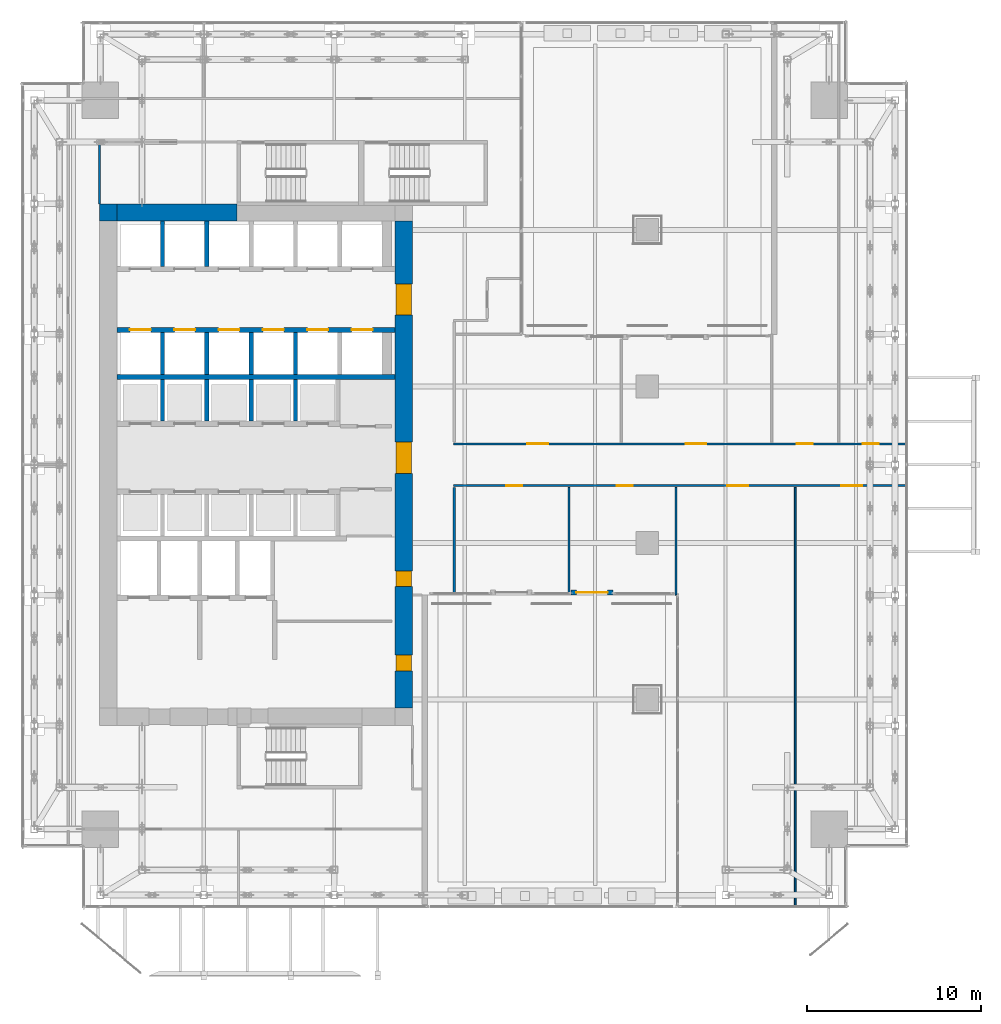
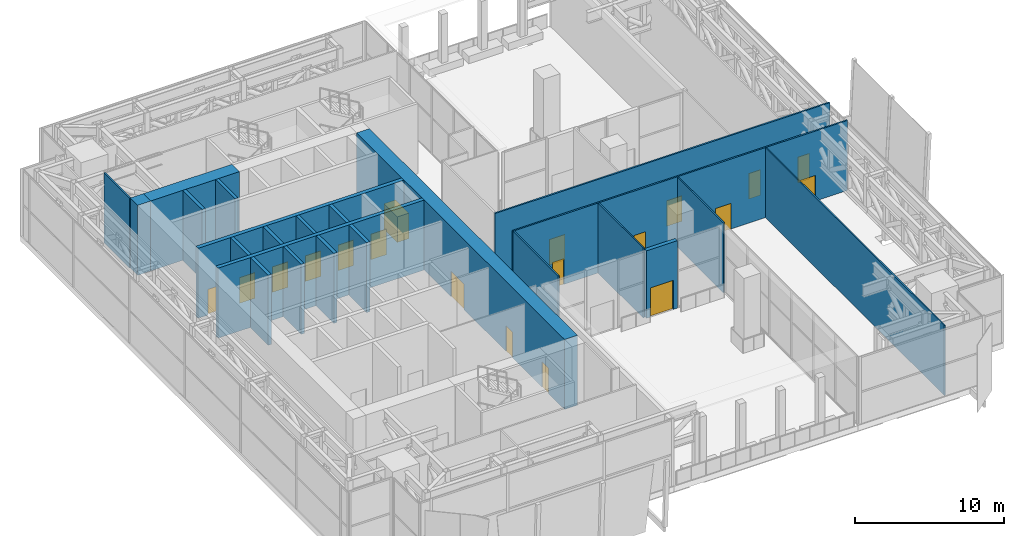
# One storey, part 37 of 47: 23 walls, 19 doors, 19 openings.
"""IFC4 building model written with IfcOpenShell, lengths in metres."""

from ifc_helpers import new_model, si_unit, direction, frame, frame_2d, origin, place, context, subcontext, project, spatial, rectangle, extrude, source, transform, mapped, material, layer, layer_set, type_object, element, fill, save


model = new_model("IFC4")

# Units and contexts
model_context = context("Model", 3, precision=1e-05, world=origin(), true_north=direction((0.0, 1.0)))
body_context = subcontext(model_context, "Body", "Model", "MODEL_VIEW")
ifc_project = project(units=[si_unit("LENGTHUNIT", "METRE"), si_unit("AREAUNIT", "SQUARE_METRE"), si_unit("VOLUMEUNIT", "CUBIC_METRE"), si_unit("PLANEANGLEUNIT", "RADIAN"), si_unit("MASSUNIT", "GRAM", prefix="KILO")], contexts=[model_context])

# Site, building, storey
site_placement = place(None, origin())
site = spatial("IfcSite", under=ifc_project, at=site_placement, CompositionType="ELEMENT")
building_placement = place(site_placement, origin())
building = spatial("IfcBuilding", under=site, at=building_placement, Name="Khomas Fold Tower", CompositionType="ELEMENT")
storey_placement = place(building_placement, frame((0.0, 0.0, 158.699951171875)))
storey = spatial("IfcBuildingStorey", under=building, at=storey_placement, Name="L34", CompositionType="ELEMENT", Elevation=158.699951171875)

# Walls
ifc_material_1 = material(Name="Concrete C70/85", Category="concrete")
ifc_layer_1 = layer(ifc_material_1, 1.0)
ifc_layer_set_1 = layer_set([ifc_layer_1], Name="Concrete C70/85")
wall_type_1 = type_object("IfcWallType", Name="Core wall 1000", PredefinedType="SHEAR", material=ifc_layer_set_1)
shared_shape_1 = source(origin(), body_context, "Body", "SweptSolid", [
    extrude(rectangle(XDim=6.89990234375, YDim=1.0, at=frame_2d((3.449951171875, 0.0))), origin(), (0.0, 0.0, 1.0), 5.75),
])
wall_1_placement = place(storey_placement, frame((7.0, 41.5, 0.0), z_axis=(0.0, 0.0, 1.0), x_axis=(1.0, 0.0, 0.0)))
element("IfcWall", 1, at=wall_1_placement, inside=storey, type_object=wall_type_1, Name="Core wall CW-L-N-L21", PredefinedType="SHEAR", context=body_context, shape_type="MappedRepresentation", body=[
    mapped(shared_shape_1, transform((0.0, 0.0, 0.0))),
])
ifc_material_2 = material(Name="Concrete C70/85", Category="concrete")
ifc_layer_2 = layer(ifc_material_2, 1.0)
ifc_layer_set_2 = layer_set([ifc_layer_2], Name="Concrete C70/85")
wall_type_2 = type_object("IfcWallType", Name="Core corner wall 1000", PredefinedType="SHEAR", material=ifc_layer_set_2)
shared_shape_2 = source(origin(), body_context, "Body", "SweptSolid", [
    extrude(rectangle(XDim=1.0, YDim=1.0, at=frame_2d((0.5, 0.0))), origin(), (0.0, 0.0, 1.0), 5.75),
])
wall_2_placement = place(storey_placement, frame((6.0, 41.5, 0.0), z_axis=(0.0, 0.0, 1.0), x_axis=(1.0, 0.0, 0.0)))
element("IfcWall", 2, at=wall_2_placement, inside=storey, type_object=wall_type_2, Name="Core wall CW-L-NW-L21", PredefinedType="SHEAR", context=body_context, shape_type="MappedRepresentation", body=[
    mapped(shared_shape_2, transform((0.0, 0.0, 0.0))),
])

# Wall, openings, doors
shared_shape_3 = source(origin(), body_context, "Body", "SweptSolid", [
    extrude(rectangle(XDim=28.0, YDim=1.0, at=frame_2d((14.0, 0.0))), origin(), (0.0, 0.0, 1.0), 5.75),
])
wall_3_placement = place(storey_placement, frame((23.5, 13.0, 0.0), z_axis=(0.0, 0.0, 1.0), x_axis=(0.0, 1.0, 0.0)))
wall_3 = element("IfcWall", 3, at=wall_3_placement, inside=storey, type_object=wall_type_1, Name="Core wall CW-L-E-L21", PredefinedType="SHEAR", context=body_context, shape_type="MappedRepresentation", body=[
    mapped(shared_shape_3, transform((0.0, 0.0, 0.0))),
])
shared_shape_4 = source(origin(), body_context, "Body", "SweptSolid", [
    extrude(rectangle(XDim=1.800048828125, YDim=2.10009765625, at=frame_2d((0.89990234375, 1.050048828125))), frame((0.0, 0.510009765625, 0.0), z_axis=(0.0, -1.0, 0.0), x_axis=(1.0, 0.0, 0.0)), (0.0, 0.0, 1.0), 1.02001953125),
])
opening_1_placement = place(wall_3_placement, frame((13.5, 0.0, 0.0)))
opening_1 = element("IfcOpeningElement", 4, at=opening_1_placement, cuts=wall_3, Name="Opening 0015", PredefinedType="OPENING", context=body_context, shape_type="MappedRepresentation", body=[
    mapped(shared_shape_4, transform((0.0, 0.0, 0.0))),
])
opening_2_placement = place(wall_3_placement, frame((22.60009765625, 0.0, 0.0)))
opening_2 = element("IfcOpeningElement", 5, at=opening_2_placement, cuts=wall_3, Name="Opening 0015", PredefinedType="OPENING", context=body_context, shape_type="MappedRepresentation", body=[
    mapped(shared_shape_4, transform((0.0, 0.0, 0.0))),
])
shared_shape_5 = source(origin(), body_context, "Body", "SweptSolid", [
    extrude(rectangle(XDim=0.89990234375, YDim=2.10009765625, at=frame_2d((0.449951171875, 1.050048828125))), frame((0.0, 0.510009765625, 0.0), z_axis=(0.0, -1.0, 0.0), x_axis=(1.0, 0.0, 0.0)), (0.0, 0.0, 1.0), 1.02001953125),
])
opening_3_placement = place(wall_3_placement, frame((2.14990234375, 0.0, 0.0)))
opening_3 = element("IfcOpeningElement", 6, at=opening_3_placement, cuts=wall_3, Name="Opening 0008", PredefinedType="OPENING", context=body_context, shape_type="MappedRepresentation", body=[
    mapped(shared_shape_5, transform((0.0, 0.0, 0.0))),
])
opening_4_placement = place(wall_3_placement, frame((7.0, 0.0, 0.0)))
opening_4 = element("IfcOpeningElement", 7, at=opening_4_placement, cuts=wall_3, Name="Opening 0008", PredefinedType="OPENING", context=body_context, shape_type="MappedRepresentation", body=[
    mapped(shared_shape_5, transform((0.0, 0.0, 0.0))),
])
ifc_material_3 = material(Name="Steel door leaf", Category="steel")
door_type_1 = type_object("IfcDoorType", Name="Lobby door 1800x2100", OperationType="DOUBLE_DOOR_SINGLE_SWING", PredefinedType="DOOR", material=ifc_material_3)
shared_shape_6 = source(origin(), body_context, "Body", "SweptSolid", [
    extrude(rectangle(XDim=1.800048828125, YDim=2.10009765625, at=frame_2d((0.89990234375, 1.050048828125))), frame((0.0, 0.449951171875, 0.0), z_axis=(0.0, -1.0, 0.0), x_axis=(1.0, 0.0, 0.0)), (0.0, 0.0, 1.0), 0.89990234375),
])
door_1_placement = place(opening_1_placement, origin())
door_1 = element("IfcDoor", 8, at=door_1_placement, inside=storey, type_object=door_type_1, Name="Lobby door", OperationType="DOUBLE_DOOR_SINGLE_SWING", OverallHeight=2.10009765625, OverallWidth=1.800048828125, PredefinedType="DOOR", context=body_context, shape_type="MappedRepresentation", body=[
    mapped(shared_shape_6, transform((0.0, 0.0, 0.0))),
])
fill(opening_1, door_1)
door_2_placement = place(opening_2_placement, origin())
door_2 = element("IfcDoor", 9, at=door_2_placement, inside=storey, type_object=door_type_1, Name="Lobby door", OperationType="DOUBLE_DOOR_SINGLE_SWING", OverallHeight=2.10009765625, OverallWidth=1.800048828125, PredefinedType="DOOR", context=body_context, shape_type="MappedRepresentation", body=[
    mapped(shared_shape_6, transform((0.0, 0.0, 0.0))),
])
fill(opening_2, door_2)
ifc_material_4 = material(Name="Timber door leaf", Category="wood")
door_type_2 = type_object("IfcDoorType", Name="Door 900x2100 right-hand", OperationType="SINGLE_SWING_RIGHT", PredefinedType="DOOR", material=ifc_material_4)
shared_shape_7 = source(origin(), body_context, "Body", "SweptSolid", [
    extrude(rectangle(XDim=0.89990234375, YDim=2.10009765625, at=frame_2d((0.449951171875, 1.050048828125))), frame((0.0, 0.449951171875, 0.0), z_axis=(0.0, -1.0, 0.0), x_axis=(1.0, 0.0, 0.0)), (0.0, 0.0, 1.0), 0.89990234375),
])
door_3_placement = place(opening_3_placement, origin())
door_3 = element("IfcDoor", 10, at=door_3_placement, inside=storey, type_object=door_type_2, Name="Door", OperationType="SINGLE_SWING_RIGHT", OverallHeight=2.10009765625, OverallWidth=0.89990234375, PredefinedType="DOOR", context=body_context, shape_type="MappedRepresentation", body=[
    mapped(shared_shape_7, transform((0.0, 0.0, 0.0))),
])
fill(opening_3, door_3)
door_4_placement = place(opening_4_placement, origin())
door_4 = element("IfcDoor", 11, at=door_4_placement, inside=storey, type_object=door_type_2, Name="Door", OperationType="SINGLE_SWING_RIGHT", OverallHeight=2.10009765625, OverallWidth=0.89990234375, PredefinedType="DOOR", context=body_context, shape_type="MappedRepresentation", body=[
    mapped(shared_shape_7, transform((0.0, 0.0, 0.0))),
])
fill(opening_4, door_4)

# Wall
ifc_material_5 = material(Name="Concrete C50/60", Category="concrete")
ifc_layer_3 = layer(ifc_material_5, 0.300048828125)
ifc_layer_set_3 = layer_set([ifc_layer_3], Name="Concrete C50/60")
wall_type_3 = type_object("IfcWallType", Name="Shaft wall 300", PredefinedType="STANDARD", material=ifc_layer_set_3)
shared_shape_8 = source(origin(), body_context, "Body", "SweptSolid", [
    extrude(rectangle(XDim=16.0, YDim=0.300048828125, at=frame_2d((8.0, 0.0))), origin(), (0.0, 0.0, 1.0), 5.75),
])
wall_4_placement = place(storey_placement, frame((7.0, 32.050048828125, 0.0), z_axis=(0.0, 0.0, 1.0), x_axis=(1.0, 0.0, 0.0)))
element("IfcWall", 12, at=wall_4_placement, inside=storey, type_object=wall_type_3, Name="Core wall SW-HRN-B", PredefinedType="STANDARD", context=body_context, shape_type="MappedRepresentation", body=[
    mapped(shared_shape_8, transform((0.0, 0.0, 0.0))),
])

# Wall, openings, doors
wall_5_placement = place(storey_placement, frame((7.0, 34.75, 0.0), z_axis=(0.0, 0.0, 1.0), x_axis=(1.0, 0.0, 0.0)))
wall_5 = element("IfcWall", 13, at=wall_5_placement, inside=storey, type_object=wall_type_3, Name="Core wall SW-LRS-F", PredefinedType="STANDARD", context=body_context, shape_type="MappedRepresentation", body=[
    mapped(shared_shape_8, transform((0.0, 0.0, 0.0))),
])
shared_shape_9 = source(origin(), body_context, "Body", "SweptSolid", [
    extrude(rectangle(XDim=1.199951171875, YDim=2.10009765625, at=frame_2d((0.60009765625, 1.050048828125))), frame((0.0, 0.159912109375, 0.0), z_axis=(0.0, -1.0, 0.0), x_axis=(1.0, 0.0, 0.0)), (0.0, 0.0, 1.0), 0.320068359375),
])
opening_5_placement = place(wall_5_placement, frame((0.75, 0.0, 0.0)))
opening_5 = element("IfcOpeningElement", 14, at=opening_5_placement, cuts=wall_5, Name="Opening LD-LR1", PredefinedType="OPENING", context=body_context, shape_type="MappedRepresentation", body=[
    mapped(shared_shape_9, transform((0.0, 0.0, 0.0))),
])
opening_6_placement = place(wall_5_placement, frame((3.300048828125, 0.0, 0.0)))
opening_6 = element("IfcOpeningElement", 15, at=opening_6_placement, cuts=wall_5, Name="Opening LD-LR2", PredefinedType="OPENING", context=body_context, shape_type="MappedRepresentation", body=[
    mapped(shared_shape_9, transform((0.0, 0.0, 0.0))),
])
opening_7_placement = place(wall_5_placement, frame((5.85009765625, 0.0, 0.0)))
opening_7 = element("IfcOpeningElement", 16, at=opening_7_placement, cuts=wall_5, Name="Opening LD-LR3", PredefinedType="OPENING", context=body_context, shape_type="MappedRepresentation", body=[
    mapped(shared_shape_9, transform((0.0, 0.0, 0.0))),
])
opening_8_placement = place(wall_5_placement, frame((8.39990234375, 0.0, 0.0)))
opening_8 = element("IfcOpeningElement", 17, at=opening_8_placement, cuts=wall_5, Name="Opening LD-LR4", PredefinedType="OPENING", context=body_context, shape_type="MappedRepresentation", body=[
    mapped(shared_shape_9, transform((0.0, 0.0, 0.0))),
])
opening_9_placement = place(wall_5_placement, frame((10.949951171875, 0.0, 0.0)))
opening_9 = element("IfcOpeningElement", 18, at=opening_9_placement, cuts=wall_5, Name="Opening LD-S1", PredefinedType="OPENING", context=body_context, shape_type="MappedRepresentation", body=[
    mapped(shared_shape_9, transform((0.0, 0.0, 0.0))),
])
opening_10_placement = place(wall_5_placement, frame((13.5, 0.0, 0.0)))
opening_10 = element("IfcOpeningElement", 19, at=opening_10_placement, cuts=wall_5, Name="Opening LD-S2", PredefinedType="OPENING", context=body_context, shape_type="MappedRepresentation", body=[
    mapped(shared_shape_9, transform((0.0, 0.0, 0.0))),
])
ifc_material_6 = material(Name="Steel door leaf", Category="steel")
door_type_3 = type_object("IfcDoorType", Name="Landing door 1200x2100", OperationType="DOUBLE_DOOR_SLIDING", PredefinedType="DOOR", material=ifc_material_6)
shared_shape_10 = source(origin(), body_context, "Body", "SweptSolid", [
    extrude(rectangle(XDim=1.199951171875, YDim=2.10009765625, at=frame_2d((0.60009765625, 1.050048828125))), frame((0.0, 0.02490234375, 0.0), z_axis=(0.0, -1.0, 0.0), x_axis=(1.0, 0.0, 0.0)), (0.0, 0.0, 1.0), 0.050048828125),
])
door_5_placement = place(opening_5_placement, origin())
door_5 = element("IfcDoor", 20, at=door_5_placement, inside=storey, type_object=door_type_3, Name="Lift landing door", OperationType="DOUBLE_DOOR_SLIDING", OverallHeight=2.10009765625, OverallWidth=1.199951171875, PredefinedType="DOOR", context=body_context, shape_type="MappedRepresentation", body=[
    mapped(shared_shape_10, transform((0.0, 0.0, 0.0))),
])
fill(opening_5, door_5)
door_6_placement = place(opening_6_placement, origin())
door_6 = element("IfcDoor", 21, at=door_6_placement, inside=storey, type_object=door_type_3, Name="Lift landing door", OperationType="DOUBLE_DOOR_SLIDING", OverallHeight=2.10009765625, OverallWidth=1.199951171875, PredefinedType="DOOR", context=body_context, shape_type="MappedRepresentation", body=[
    mapped(shared_shape_10, transform((0.0, 0.0, 0.0))),
])
fill(opening_6, door_6)
door_7_placement = place(opening_7_placement, origin())
door_7 = element("IfcDoor", 22, at=door_7_placement, inside=storey, type_object=door_type_3, Name="Lift landing door", OperationType="DOUBLE_DOOR_SLIDING", OverallHeight=2.10009765625, OverallWidth=1.199951171875, PredefinedType="DOOR", context=body_context, shape_type="MappedRepresentation", body=[
    mapped(shared_shape_10, transform((0.0, 0.0, 0.0))),
])
fill(opening_7, door_7)
door_8_placement = place(opening_8_placement, origin())
door_8 = element("IfcDoor", 23, at=door_8_placement, inside=storey, type_object=door_type_3, Name="Lift landing door", OperationType="DOUBLE_DOOR_SLIDING", OverallHeight=2.10009765625, OverallWidth=1.199951171875, PredefinedType="DOOR", context=body_context, shape_type="MappedRepresentation", body=[
    mapped(shared_shape_10, transform((0.0, 0.0, 0.0))),
])
fill(opening_8, door_8)
door_9_placement = place(opening_9_placement, origin())
door_9 = element("IfcDoor", 24, at=door_9_placement, inside=storey, type_object=door_type_3, Name="Lift landing door", OperationType="DOUBLE_DOOR_SLIDING", OverallHeight=2.10009765625, OverallWidth=1.199951171875, PredefinedType="DOOR", context=body_context, shape_type="MappedRepresentation", body=[
    mapped(shared_shape_10, transform((0.0, 0.0, 0.0))),
])
fill(opening_9, door_9)
door_10_placement = place(opening_10_placement, origin())
door_10 = element("IfcDoor", 25, at=door_10_placement, inside=storey, type_object=door_type_3, Name="Lift landing door", OperationType="DOUBLE_DOOR_SLIDING", OverallHeight=2.10009765625, OverallWidth=1.199951171875, PredefinedType="DOOR", context=body_context, shape_type="MappedRepresentation", body=[
    mapped(shared_shape_10, transform((0.0, 0.0, 0.0))),
])
fill(opening_10, door_10)

# Walls
ifc_material_7 = material(Name="Concrete C50/60", Category="concrete")
ifc_layer_4 = layer(ifc_material_7, 0.25)
ifc_layer_set_4 = layer_set([ifc_layer_4], Name="Concrete C50/60")
wall_type_4 = type_object("IfcWallType", Name="Shaft wall 250", PredefinedType="STANDARD", material=ifc_layer_set_4)
shared_shape_11 = source(origin(), body_context, "Body", "SweptSolid", [
    extrude(rectangle(XDim=2.39990234375, YDim=0.25, at=frame_2d((1.199951171875, 0.0))), origin(), (0.0, 0.0, 1.0), 5.75),
])
for number, where, z_axis, x_axis, name in (
    (26, (17.27490234375, 29.5, 0.0), (0.0, 0.0, 1.0), (0.0, 1.0, 0.0), "Core wall SW-HRN-MR-P1"),
    (27, (9.625, 29.5, 0.0), (0.0, 0.0, 1.0), (0.0, 1.0, 0.0), "Core wall SW-HRN-P1"),
    (28, (12.175048828125, 29.5, 0.0), (0.0, 0.0, 1.0), (0.0, 1.0, 0.0), "Core wall SW-HRN-P2"),
    (29, (14.72509765625, 29.5, 0.0), (0.0, 0.0, 1.0), (0.0, 1.0, 0.0), "Core wall SW-HRN-PE"),
):
    element("IfcWall", number, at=place(storey_placement, frame(where, z_axis=z_axis, x_axis=x_axis)), inside=storey, type_object=wall_type_4, Name=name, PredefinedType="STANDARD", context=body_context, shape_type="MappedRepresentation", body=[
        mapped(shared_shape_11, transform((0.0, 0.0, 0.0))),
    ])
shared_shape_12 = source(origin(), body_context, "Body", "SweptSolid", [
    extrude(rectangle(XDim=2.400146484375, YDim=0.25, at=frame_2d((1.2001953125, 0.0))), origin(), (0.0, 0.0, 1.0), 5.75),
])
for number, where, z_axis, x_axis, name in (
    (30, (9.625, 32.199951171875, 0.0), (0.0, 0.0, 1.0), (0.0, 1.0, 0.0), "Core wall SW-LRS-P1"),
    (31, (12.175048828125, 32.199951171875, 0.0), (0.0, 0.0, 1.0), (0.0, 1.0, 0.0), "Core wall SW-LRS-P2"),
    (32, (14.72509765625, 32.199951171875, 0.0), (0.0, 0.0, 1.0), (0.0, 1.0, 0.0), "Core wall SW-LRS-P3"),
    (33, (17.27490234375, 32.199951171875, 0.0), (0.0, 0.0, 1.0), (0.0, 1.0, 0.0), "Core wall SW-LRS-P4"),
):
    element("IfcWall", number, at=place(storey_placement, frame(where, z_axis=z_axis, x_axis=x_axis)), inside=storey, type_object=wall_type_4, Name=name, PredefinedType="STANDARD", context=body_context, shape_type="MappedRepresentation", body=[
        mapped(shared_shape_12, transform((0.0, 0.0, 0.0))),
    ])
shared_shape_13 = source(origin(), body_context, "Body", "SweptSolid", [
    extrude(rectangle(XDim=2.60009765625, YDim=0.25, at=frame_2d((1.300048828125, 0.0))), origin(), (0.0, 0.0, 1.0), 5.75),
])
for number, where, z_axis, x_axis, name in (
    (34, (9.625, 38.39990234375, 0.0), (0.0, 0.0, 1.0), (0.0, 1.0, 0.0), "Core wall SW-LRN-P1"),
    (35, (12.175048828125, 38.39990234375, 0.0), (0.0, 0.0, 1.0), (0.0, 1.0, 0.0), "Core wall SW-LRN-P2"),
):
    element("IfcWall", number, at=place(storey_placement, frame(where, z_axis=z_axis, x_axis=x_axis)), inside=storey, type_object=wall_type_4, Name=name, PredefinedType="STANDARD", context=body_context, shape_type="MappedRepresentation", body=[
        mapped(shared_shape_13, transform((0.0, 0.0, 0.0))),
    ])

# Wall, opening, door
ifc_material_8 = material(Name="Concrete C40/50", Category="concrete")
ifc_layer_5 = layer(ifc_material_8, 0.300048828125)
ifc_layer_set_5 = layer_set([ifc_layer_5], Name="Concrete C40/50")
wall_type_5 = type_object("IfcWallType", Name="Garden door wall 300", PredefinedType="SOLIDWALL", material=ifc_layer_set_5)
shared_shape_14 = source(origin(), body_context, "Body", "SweptSolid", [
    extrude(rectangle(XDim=2.39990234375, YDim=0.300048828125, at=frame_2d((1.199951171875, 0.0))), origin(), (0.0, 0.0, 1.0), 5.550048828125),
])
wall_6_placement = place(storey_placement, frame((33.11669921875, 19.64990234375, 0.0), z_axis=(0.0, 0.0, 1.0), x_axis=(1.0, 0.0, 0.0)))
wall_6 = element("IfcWall", 36, at=wall_6_placement, inside=storey, type_object=wall_type_5, Name="Garden door wall", PredefinedType="SOLIDWALL", context=body_context, shape_type="MappedRepresentation", body=[
    mapped(shared_shape_14, transform((0.0, 0.0, 0.0))),
])
shared_shape_15 = source(origin(), body_context, "Body", "SweptSolid", [
    extrude(rectangle(XDim=1.800048828125, YDim=2.39990234375, at=frame_2d((0.89990234375, 1.199951171875))), frame((0.0, 0.159912109375, 0.0), z_axis=(0.0, -1.0, 0.0), x_axis=(1.0, 0.0, 0.0)), (0.0, 0.0, 1.0), 0.320068359375),
])
opening_11_placement = place(wall_6_placement, frame((2.10009765625, 0.0, 0.0), z_axis=(0.0, 0.0, 1.0), x_axis=(-1.0, 0.0, 0.0)))
opening_11 = element("IfcOpeningElement", 37, at=opening_11_placement, cuts=wall_6, Name="Opening GNS02", PredefinedType="OPENING", context=body_context, shape_type="MappedRepresentation", body=[
    mapped(shared_shape_15, transform((0.0, 0.0, 0.0))),
])
ifc_material_9 = material(Name="Aluminium framed glazing", Category="aluminium")
door_type_4 = type_object("IfcDoorType", Name="Garden door 1800 x 2400", OperationType="DOUBLE_DOOR_DOUBLE_SWING", PredefinedType="DOOR", material=ifc_material_9)
shared_shape_16 = source(origin(), body_context, "Body", "SweptSolid", [
    extrude(rectangle(XDim=1.800048828125, YDim=2.39990234375, at=frame_2d((0.89990234375, 1.199951171875))), frame((0.0, 0.02490234375, 0.0), z_axis=(0.0, -1.0, 0.0), x_axis=(1.0, 0.0, 0.0)), (0.0, 0.0, 1.0), 0.050048828125),
])
door_11_placement = place(opening_11_placement, origin())
door_11 = element("IfcDoor", 38, at=door_11_placement, inside=storey, type_object=door_type_4, Name="Garden door", OperationType="DOUBLE_DOOR_DOUBLE_SWING", OverallHeight=2.39990234375, OverallWidth=1.800048828125, PredefinedType="DOOR", context=body_context, shape_type="MappedRepresentation", body=[
    mapped(shared_shape_16, transform((0.0, 0.0, 0.0))),
])
fill(opening_11, door_11)

# Walls
ifc_material_10 = material(Name="Plasterboard partition")
ifc_layer_6 = layer(ifc_material_10, 0.10009765625)
ifc_layer_set_6 = layer_set([ifc_layer_6], Name="Plasterboard partition")
wall_type_6 = type_object("IfcWallType", Name="Partition PW1 100", PredefinedType="PARTITIONING", material=ifc_layer_set_6)
shared_shape_17 = source(origin(), body_context, "Body", "SweptSolid", [
    extrude(rectangle(XDim=24.050048828125, YDim=0.10009765625, at=frame_2d((12.02490234375, 0.0))), origin(), (0.0, 0.0, 1.0), 5.75),
])
wall_7_placement = place(storey_placement, frame((46.0, 1.64990234375, 0.0), z_axis=(0.0, 0.0, 1.0), x_axis=(0.0, 1.0, 0.0)))
element("IfcWall", 39, at=wall_7_placement, inside=storey, type_object=wall_type_6, Name="Partition", PredefinedType="PARTITIONING", context=body_context, shape_type="MappedRepresentation", body=[
    mapped(shared_shape_17, transform((0.0, 0.0, 0.0))),
])
ifc_material_11 = material(Name="Plasterboard partition")
ifc_layer_7 = layer(ifc_material_11, 0.125)
ifc_layer_set_7 = layer_set([ifc_layer_7], Name="Plasterboard partition")
wall_type_7 = type_object("IfcWallType", Name="Partition PW2 125", PredefinedType="PARTITIONING", material=ifc_layer_set_7)
shared_shape_18 = source(origin(), body_context, "Body", "SweptSolid", [
    extrude(rectangle(XDim=6.050048828125, YDim=0.125, at=frame_2d((3.02490234375, 0.0))), origin(), (0.0, 0.0, 1.0), 5.75),
])
wall_8_placement = place(storey_placement, frame((26.39990234375, 19.64990234375, 0.0), z_axis=(0.0, 0.0, 1.0), x_axis=(0.0, 1.0, 0.0)))
element("IfcWall", 40, at=wall_8_placement, inside=storey, type_object=wall_type_7, Name="Partition", PredefinedType="PARTITIONING", context=body_context, shape_type="MappedRepresentation", body=[
    mapped(shared_shape_18, transform((0.0, 0.0, 0.0))),
])
shared_shape_19 = source(origin(), body_context, "Body", "SweptSolid", [
    extrude(rectangle(XDim=6.050048828125, YDim=0.10009765625, at=frame_2d((3.02490234375, 0.0))), origin(), (0.0, 0.0, 1.0), 5.75),
])
wall_9_placement = place(storey_placement, frame((33.0, 19.64990234375, 0.0), z_axis=(0.0, 0.0, 1.0), x_axis=(0.0, 1.0, 0.0)))
element("IfcWall", 41, at=wall_9_placement, inside=storey, type_object=wall_type_6, Name="Partition", PredefinedType="PARTITIONING", context=body_context, shape_type="MappedRepresentation", body=[
    mapped(shared_shape_19, transform((0.0, 0.0, 0.0))),
])
shared_shape_20 = source(origin(), body_context, "Body", "SweptSolid", [
    extrude(rectangle(XDim=6.199951171875, YDim=0.10009765625, at=frame_2d((3.10009765625, 0.0))), origin(), (0.0, 0.0, 1.0), 5.75),
])
wall_10_placement = place(storey_placement, frame((39.14990234375, 19.5, 0.0), z_axis=(0.0, 0.0, 1.0), x_axis=(0.0, 1.0, 0.0)))
element("IfcWall", 42, at=wall_10_placement, inside=storey, type_object=wall_type_6, Name="Partition", PredefinedType="PARTITIONING", context=body_context, shape_type="MappedRepresentation", body=[
    mapped(shared_shape_20, transform((0.0, 0.0, 0.0))),
])

# Wall, openings, doors
shared_shape_21 = source(origin(), body_context, "Body", "SweptSolid", [
    extrude(rectangle(XDim=26.0, YDim=0.125, at=frame_2d((13.0, 0.0))), origin(), (0.0, 0.0, 1.0), 5.75),
])
wall_11_placement = place(storey_placement, frame((26.35009765625, 25.800048828125, 0.0), z_axis=(0.0, 0.0, 1.0), x_axis=(1.0, 0.0, 0.0)))
wall_11 = element("IfcWall", 43, at=wall_11_placement, inside=storey, type_object=wall_type_7, Name="Partition", PredefinedType="PARTITIONING", context=body_context, shape_type="MappedRepresentation", body=[
    mapped(shared_shape_21, transform((0.0, 0.0, 0.0))),
])
shared_shape_22 = source(origin(), body_context, "Body", "SweptSolid", [
    extrude(rectangle(XDim=1.199951171875, YDim=2.10009765625, at=frame_2d((0.60009765625, 1.050048828125))), frame((0.0, 0.072509765625, 0.0), z_axis=(0.0, -1.0, 0.0), x_axis=(1.0, 0.0, 0.0)), (0.0, 0.0, 1.0), 0.14501953125),
])
opening_12_placement = place(wall_11_placement, frame((15.75, 0.0, 0.0)))
opening_12 = element("IfcOpeningElement", 44, at=opening_12_placement, cuts=wall_11, Name="Opening 0001", PredefinedType="OPENING", context=body_context, shape_type="MappedRepresentation", body=[
    mapped(shared_shape_22, transform((0.0, 0.0, 0.0))),
])
opening_13_placement = place(wall_11_placement, frame((22.300048828125, 0.0, 0.0)))
opening_13 = element("IfcOpeningElement", 45, at=opening_13_placement, cuts=wall_11, Name="Opening 0013", PredefinedType="OPENING", context=body_context, shape_type="MappedRepresentation", body=[
    mapped(shared_shape_22, transform((0.0, 0.0, 0.0))),
])
shared_shape_23 = source(origin(), body_context, "Body", "SweptSolid", [
    extrude(rectangle(XDim=0.89990234375, YDim=2.10009765625, at=frame_2d((0.449951171875, 1.050048828125))), frame((0.0, 0.072509765625, 0.0), z_axis=(0.0, -1.0, 0.0), x_axis=(1.0, 0.0, 0.0)), (0.0, 0.0, 1.0), 0.14501953125),
])
opening_14_placement = place(wall_11_placement, frame((3.050048828125, 0.0, 0.0)))
opening_14 = element("IfcOpeningElement", 46, at=opening_14_placement, cuts=wall_11, Name="Opening 0008", PredefinedType="OPENING", context=body_context, shape_type="MappedRepresentation", body=[
    mapped(shared_shape_23, transform((0.0, 0.0, 0.0))),
])
opening_15_placement = place(wall_11_placement, frame((9.39990234375, 0.0, 0.0)))
opening_15 = element("IfcOpeningElement", 47, at=opening_15_placement, cuts=wall_11, Name="Opening 0008", PredefinedType="OPENING", context=body_context, shape_type="MappedRepresentation", body=[
    mapped(shared_shape_23, transform((0.0, 0.0, 0.0))),
])
shared_shape_24 = source(origin(), body_context, "Body", "SweptSolid", [
    extrude(rectangle(XDim=0.89990234375, YDim=2.10009765625, at=frame_2d((0.449951171875, 1.050048828125))), frame((0.0, 0.02490234375, 0.0), z_axis=(0.0, -1.0, 0.0), x_axis=(1.0, 0.0, 0.0)), (0.0, 0.0, 1.0), 0.050048828125),
])
door_12_placement = place(opening_14_placement, origin())
door_12 = element("IfcDoor", 48, at=door_12_placement, inside=storey, type_object=door_type_2, Name="Door", OperationType="SINGLE_SWING_RIGHT", OverallHeight=2.10009765625, OverallWidth=0.89990234375, PredefinedType="DOOR", context=body_context, shape_type="MappedRepresentation", body=[
    mapped(shared_shape_24, transform((0.0, 0.0, 0.0))),
])
fill(opening_14, door_12)
door_13_placement = place(opening_15_placement, origin())
door_13 = element("IfcDoor", 49, at=door_13_placement, inside=storey, type_object=door_type_2, Name="Door", OperationType="SINGLE_SWING_RIGHT", OverallHeight=2.10009765625, OverallWidth=0.89990234375, PredefinedType="DOOR", context=body_context, shape_type="MappedRepresentation", body=[
    mapped(shared_shape_24, transform((0.0, 0.0, 0.0))),
])
fill(opening_15, door_13)
ifc_material_12 = material(Name="Timber door leaf", Category="wood")
door_type_5 = type_object("IfcDoorType", Name="Door 1200x2100 right-hand", OperationType="SINGLE_SWING_RIGHT", PredefinedType="DOOR", material=ifc_material_12)
door_14_placement = place(opening_12_placement, origin())
door_14 = element("IfcDoor", 50, at=door_14_placement, inside=storey, type_object=door_type_5, Name="Door", OperationType="SINGLE_SWING_RIGHT", OverallHeight=2.10009765625, OverallWidth=1.199951171875, PredefinedType="DOOR", context=body_context, shape_type="MappedRepresentation", body=[
    mapped(shared_shape_10, transform((0.0, 0.0, 0.0))),
])
fill(opening_12, door_14)
ifc_material_13 = material(Name="Timber door leaf", Category="wood")
door_type_6 = type_object("IfcDoorType", Name="Door 1200x2100 left-hand", OperationType="SINGLE_SWING_LEFT", PredefinedType="DOOR", material=ifc_material_13)
door_15_placement = place(opening_13_placement, origin())
door_15 = element("IfcDoor", 51, at=door_15_placement, inside=storey, type_object=door_type_6, Name="Door", OperationType="SINGLE_SWING_LEFT", OverallHeight=2.10009765625, OverallWidth=1.199951171875, PredefinedType="DOOR", context=body_context, shape_type="MappedRepresentation", body=[
    mapped(shared_shape_10, transform((0.0, 0.0, 0.0))),
])
fill(opening_13, door_15)

wall_12_placement = place(storey_placement, frame((26.35009765625, 28.199951171875, 0.0), z_axis=(0.0, 0.0, 1.0), x_axis=(1.0, 0.0, 0.0)))
wall_12 = element("IfcWall", 52, at=wall_12_placement, inside=storey, type_object=wall_type_7, Name="Partition", PredefinedType="PARTITIONING", context=body_context, shape_type="MappedRepresentation", body=[
    mapped(shared_shape_21, transform((0.0, 0.0, 0.0))),
])
opening_16_placement = place(wall_12_placement, frame((19.75, 0.0, 0.0)))
opening_16 = element("IfcOpeningElement", 53, at=opening_16_placement, cuts=wall_12, Name="Opening 0008", PredefinedType="OPENING", context=body_context, shape_type="MappedRepresentation", body=[
    mapped(shared_shape_23, transform((0.0, 0.0, 0.0))),
])
opening_17_placement = place(wall_12_placement, frame((23.550048828125, 0.0, 0.0)))
opening_17 = element("IfcOpeningElement", 54, at=opening_17_placement, cuts=wall_12, Name="Opening 0008", PredefinedType="OPENING", context=body_context, shape_type="MappedRepresentation", body=[
    mapped(shared_shape_23, transform((0.0, 0.0, 0.0))),
])
opening_18_placement = place(wall_12_placement, frame((4.25, 0.0, 0.0)))
opening_18 = element("IfcOpeningElement", 55, at=opening_18_placement, cuts=wall_12, Name="Opening 0013", PredefinedType="OPENING", context=body_context, shape_type="MappedRepresentation", body=[
    mapped(shared_shape_22, transform((0.0, 0.0, 0.0))),
])
opening_19_placement = place(wall_12_placement, frame((13.35009765625, 0.0, 0.0)))
opening_19 = element("IfcOpeningElement", 56, at=opening_19_placement, cuts=wall_12, Name="Opening 0001", PredefinedType="OPENING", context=body_context, shape_type="MappedRepresentation", body=[
    mapped(shared_shape_22, transform((0.0, 0.0, 0.0))),
])
door_16_placement = place(opening_16_placement, origin())
door_16 = element("IfcDoor", 57, at=door_16_placement, inside=storey, type_object=door_type_2, Name="Door", OperationType="SINGLE_SWING_RIGHT", OverallHeight=2.10009765625, OverallWidth=0.89990234375, PredefinedType="DOOR", context=body_context, shape_type="MappedRepresentation", body=[
    mapped(shared_shape_24, transform((0.0, 0.0, 0.0))),
])
fill(opening_16, door_16)
door_17_placement = place(opening_17_placement, origin())
door_17 = element("IfcDoor", 58, at=door_17_placement, inside=storey, type_object=door_type_2, Name="Door", OperationType="SINGLE_SWING_RIGHT", OverallHeight=2.10009765625, OverallWidth=0.89990234375, PredefinedType="DOOR", context=body_context, shape_type="MappedRepresentation", body=[
    mapped(shared_shape_24, transform((0.0, 0.0, 0.0))),
])
fill(opening_17, door_17)
door_18_placement = place(opening_18_placement, origin())
door_18 = element("IfcDoor", 59, at=door_18_placement, inside=storey, type_object=door_type_6, Name="Door", OperationType="SINGLE_SWING_LEFT", OverallHeight=2.10009765625, OverallWidth=1.199951171875, PredefinedType="DOOR", context=body_context, shape_type="MappedRepresentation", body=[
    mapped(shared_shape_10, transform((0.0, 0.0, 0.0))),
])
fill(opening_18, door_18)
door_19_placement = place(opening_19_placement, origin())
door_19 = element("IfcDoor", 60, at=door_19_placement, inside=storey, type_object=door_type_5, Name="Door", OperationType="SINGLE_SWING_RIGHT", OverallHeight=2.10009765625, OverallWidth=1.199951171875, PredefinedType="DOOR", context=body_context, shape_type="MappedRepresentation", body=[
    mapped(shared_shape_10, transform((0.0, 0.0, 0.0))),
])
fill(opening_19, door_19)

# Wall
shared_shape_25 = source(origin(), body_context, "Body", "SweptSolid", [
    extrude(rectangle(XDim=3.449951171875, YDim=0.125, at=frame_2d((1.72509765625, 0.0))), origin(), (0.0, 0.0, 1.0), 5.75),
])
wall_13_placement = place(storey_placement, frame((6.0, 42.0, 0.0), z_axis=(0.0, 0.0, 1.0), x_axis=(0.0, 1.0, 0.0)))
element("IfcWall", 61, at=wall_13_placement, inside=storey, type_object=wall_type_7, Name="Partition", PredefinedType="PARTITIONING", context=body_context, shape_type="MappedRepresentation", body=[
    mapped(shared_shape_25, transform((0.0, 0.0, 0.0))),
])

save(model, "model.ifc")
